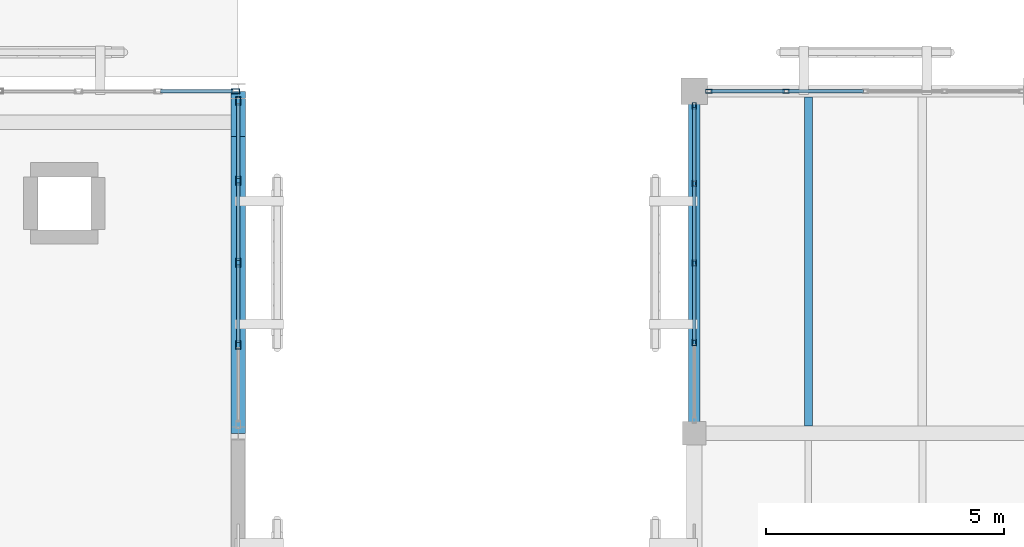
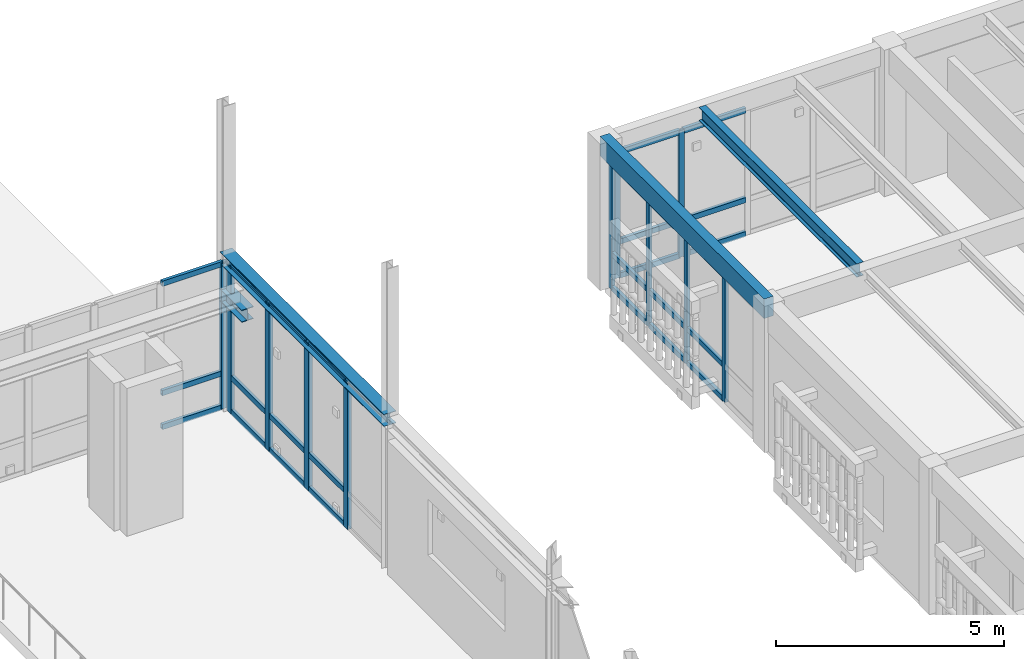
# One storey, part 87 of 170: 38 members, 4 beams, 4 elements without a shape of their own.
"""IFC4 building model written with IfcOpenShell, lengths in metres."""

from ifc_helpers import new_model, si_unit, direction, frame, origin, origin_2d, place, context, subcontext, project, spatial, rectangle, hollow_rectangle, i_section, extrude, material, layer, layer_set, material_profile, profile_set, type_object, element, aggregate, save


model = new_model("IFC4")

# Units and contexts
model_context = context("Model", 3, precision=1e-05, world=origin(), true_north=direction((0.0, 1.0)))
body_context = subcontext(model_context, "Body", "Model", "MODEL_VIEW")
ifc_project = project(units=[si_unit("LENGTHUNIT", "METRE"), si_unit("AREAUNIT", "SQUARE_METRE"), si_unit("VOLUMEUNIT", "CUBIC_METRE"), si_unit("PLANEANGLEUNIT", "RADIAN"), si_unit("MASSUNIT", "GRAM", prefix="KILO")], contexts=[model_context])

# Site, building, storey
site_placement = place(None, origin())
site = spatial("IfcSite", under=ifc_project, at=site_placement, CompositionType="ELEMENT")
building_placement = place(site_placement, origin())
building = spatial("IfcBuilding", under=site, at=building_placement, Name="Mazaris Harbour Polytechnic", CompositionType="ELEMENT")
storey_placement = place(building_placement, frame((0.0, 0.0, 5.39990234375)))
storey = spatial("IfcBuildingStorey", under=building, at=storey_placement, Name="L01", CompositionType="ELEMENT", Elevation=5.39990234375)

# Curtain wall, member
ifc_material_1 = material(Name="Anodised Bronze Aluminium and Low-E Glass", Category="aluminium")
ifc_layer_1 = layer(ifc_material_1, 0.14990234375, Name="Anodised Bronze Aluminium and Low-E Glass")
ifc_layer_set_1 = layer_set([ifc_layer_1], Name="Anodised Bronze Aluminium and Low-E Glass")
curtain_wall_type_1 = type_object("IfcCurtainWallType", Name="Workshop Clerestory Curtain Wall", PredefinedType="NOTDEFINED", material=ifc_layer_set_1)
curtain_wall_1_placement = place(storey_placement, origin())
curtain_wall_1 = element("IfcCurtainWall", 1, at=curtain_wall_1_placement, inside=storey, type_object=curtain_wall_type_1, Name="V1 L01 Curtain Wall 20", PredefinedType="NOTDEFINED")
ifc_material_2 = material(Name="Anodised Bronze Steel S355", Category="steel")
ifc_material_profile_1 = material_profile(ifc_material_2, hollow_rectangle(XDim=0.10009765625, YDim=0.179931640625, WallThickness=0.008056640625, at=origin_2d()), Name="RHS 100x180x8.0")
ifc_profile_set_1 = profile_set([ifc_material_profile_1], Name="Anodised Bronze Steel S355")
member_type_1 = type_object("IfcMemberType", Name="Curtain Mullion RHS100x180", PredefinedType="MULLION", material=ifc_profile_set_1)
member_1_placement = place(storey_placement, frame((112.741943359375, 108.0, 0.0), z_axis=(0.0, 0.0, 1.0), x_axis=(0.0, 1.0, 0.0)))
member_1 = element("IfcMember", 2, at=member_1_placement, type_object=member_type_1, Name="CW-04 mullion 6", PredefinedType="MULLION", context=body_context, shape_type="SweptSolid", body=[
    extrude(hollow_rectangle(XDim=0.10009765625, YDim=0.179931640625, WallThickness=0.008056640625, at=origin_2d()), origin(), (0.0, 0.0, 1.0), 3.920166015625),
])

# Curtain wall, members
curtain_wall_2_placement = place(storey_placement, origin())
curtain_wall_2 = element("IfcCurtainWall", 3, at=curtain_wall_2_placement, inside=storey, type_object=curtain_wall_type_1, Name="V1 L01 Curtain Wall 24", PredefinedType="NOTDEFINED")
member_2_placement = place(storey_placement, frame((112.800048828125, 107.79296875, 0.0), z_axis=(0.0, 0.0, 1.0), x_axis=(1.0, 0.0, 0.0)))
member_2 = element("IfcMember", 4, at=member_2_placement, type_object=member_type_1, Name="CW-04 mullion 1", PredefinedType="MULLION", context=body_context, shape_type="SweptSolid", body=[
    extrude(hollow_rectangle(XDim=0.10009765625, YDim=0.179931640625, WallThickness=0.008056640625, at=origin_2d()), origin(), (0.0, 0.0, 1.0), 3.920166015625),
])
member_3_placement = place(storey_placement, frame((112.800048828125, 106.116455078125, 0.0), z_axis=(0.0, 0.0, 1.0), x_axis=(1.0, 0.0, 0.0)))
member_3 = element("IfcMember", 5, at=member_3_placement, type_object=member_type_1, Name="CW-04 mullion 2", PredefinedType="MULLION", context=body_context, shape_type="SweptSolid", body=[
    extrude(hollow_rectangle(XDim=0.10009765625, YDim=0.179931640625, WallThickness=0.008056640625, at=origin_2d()), origin(), (0.0, 0.0, 1.0), 3.920166015625),
])
member_4_placement = place(storey_placement, frame((112.800048828125, 104.389892578125, 0.0), z_axis=(0.0, 0.0, 1.0), x_axis=(1.0, 0.0, 0.0)))
member_4 = element("IfcMember", 6, at=member_4_placement, type_object=member_type_1, Name="CW-04 mullion 3", PredefinedType="MULLION", context=body_context, shape_type="SweptSolid", body=[
    extrude(hollow_rectangle(XDim=0.10009765625, YDim=0.179931640625, WallThickness=0.008056640625, at=origin_2d()), origin(), (0.0, 0.0, 1.0), 3.920166015625),
])
member_5_placement = place(storey_placement, frame((112.800048828125, 102.66357421875, 0.0), z_axis=(0.0, 0.0, 1.0), x_axis=(1.0, 0.0, 0.0)))
member_5 = element("IfcMember", 7, at=member_5_placement, type_object=member_type_1, Name="CW-04 mullion 4", PredefinedType="MULLION", context=body_context, shape_type="SweptSolid", body=[
    extrude(hollow_rectangle(XDim=0.10009765625, YDim=0.179931640625, WallThickness=0.008056640625, at=origin_2d()), origin(), (0.0, 0.0, 1.0), 3.920166015625),
])

ifc_material_3 = material(Name="Anodised Bronze Aluminium and Low-E Glass", Category="aluminium")
ifc_layer_2 = layer(ifc_material_3, 0.169921875, Name="Anodised Bronze Aluminium and Low-E Glass")
ifc_layer_set_2 = layer_set([ifc_layer_2], Name="Anodised Bronze Aluminium and Low-E Glass")
curtain_wall_type_2 = type_object("IfcCurtainWallType", Name="Studio North-Light Curtain Wall", PredefinedType="NOTDEFINED", material=ifc_layer_set_2)
curtain_wall_3_placement = place(storey_placement, origin())
curtain_wall_3 = element("IfcCurtainWall", 8, at=curtain_wall_3_placement, inside=storey, type_object=curtain_wall_type_2, Name="V5 L01 Curtain Wall 205", PredefinedType="NOTDEFINED")
ifc_material_4 = material(Name="Anodised Bronze Steel S355", Category="steel")
ifc_material_profile_2 = material_profile(ifc_material_4, hollow_rectangle(XDim=0.080078125, YDim=0.139892578125, WallThickness=0.00634765625, at=origin_2d()), Name="RHS 80x140x6.3")
ifc_profile_set_2 = profile_set([ifc_material_profile_2], Name="Anodised Bronze Steel S355")
member_type_2 = type_object("IfcMemberType", Name="Curtain Mullion RHS80x140", PredefinedType="MULLION", material=ifc_profile_set_2)
member_6_placement = place(storey_placement, frame((122.70703125, 108.0, 0.0), z_axis=(0.0, 0.0, 1.0), x_axis=(0.0, 1.0, 0.0)))
member_6 = element("IfcMember", 9, at=member_6_placement, type_object=member_type_2, Name="CW-03 mullion 1", PredefinedType="MULLION", context=body_context, shape_type="SweptSolid", body=[
    extrude(hollow_rectangle(XDim=0.080078125, YDim=0.139892578125, WallThickness=0.00634765625, at=origin_2d()), origin(), (0.0, 0.0, 1.0), 3.39013671875),
])
member_7_placement = place(storey_placement, frame((124.33349609375, 108.0, 0.0), z_axis=(0.0, 0.0, 1.0), x_axis=(0.0, 1.0, 0.0)))
member_7 = element("IfcMember", 10, at=member_7_placement, type_object=member_type_2, Name="CW-03 mullion 2", PredefinedType="MULLION", context=body_context, shape_type="SweptSolid", body=[
    extrude(hollow_rectangle(XDim=0.080078125, YDim=0.139892578125, WallThickness=0.00634765625, at=origin_2d()), origin(), (0.0, 0.0, 1.0), 3.39013671875),
])

curtain_wall_4_placement = place(storey_placement, origin())
curtain_wall_4 = element("IfcCurtainWall", 11, at=curtain_wall_4_placement, inside=storey, type_object=curtain_wall_type_2, Name="V5 L01 Curtain Wall 212", PredefinedType="NOTDEFINED")
member_8_placement = place(storey_placement, frame((122.39990234375, 102.71484375, 0.0), z_axis=(0.0, 0.0, 1.0), x_axis=(-1.0, 0.0, 0.0)))
member_8 = element("IfcMember", 12, at=member_8_placement, type_object=member_type_2, Name="CW-03 mullion 2", PredefinedType="MULLION", context=body_context, shape_type="SweptSolid", body=[
    extrude(hollow_rectangle(XDim=0.080078125, YDim=0.139892578125, WallThickness=0.00634765625, at=origin_2d()), origin(), (0.0, 0.0, 1.0), 3.39013671875),
])
member_9_placement = place(storey_placement, frame((122.39990234375, 104.387451171875, 0.0), z_axis=(0.0, 0.0, 1.0), x_axis=(-1.0, 0.0, 0.0)))
member_9 = element("IfcMember", 13, at=member_9_placement, type_object=member_type_2, Name="CW-03 mullion 3", PredefinedType="MULLION", context=body_context, shape_type="SweptSolid", body=[
    extrude(hollow_rectangle(XDim=0.080078125, YDim=0.139892578125, WallThickness=0.00634765625, at=origin_2d()), origin(), (0.0, 0.0, 1.0), 3.39013671875),
])
member_10_placement = place(storey_placement, frame((122.39990234375, 106.060302734375, 0.0), z_axis=(0.0, 0.0, 1.0), x_axis=(-1.0, 0.0, 0.0)))
member_10 = element("IfcMember", 14, at=member_10_placement, type_object=member_type_2, Name="CW-03 mullion 4", PredefinedType="MULLION", context=body_context, shape_type="SweptSolid", body=[
    extrude(hollow_rectangle(XDim=0.080078125, YDim=0.139892578125, WallThickness=0.00634765625, at=origin_2d()), origin(), (0.0, 0.0, 1.0), 3.39013671875),
])
member_11_placement = place(storey_placement, frame((122.39990234375, 107.693115234375, 0.0), z_axis=(0.0, 0.0, 1.0), x_axis=(-1.0, 0.0, 0.0)))
member_11 = element("IfcMember", 15, at=member_11_placement, type_object=member_type_2, Name="CW-03 mullion 5", PredefinedType="MULLION", context=body_context, shape_type="SweptSolid", body=[
    extrude(hollow_rectangle(XDim=0.080078125, YDim=0.139892578125, WallThickness=0.00634765625, at=origin_2d()), origin(), (0.0, 0.0, 1.0), 3.39013671875),
])

# Member
ifc_material_5 = material(Name="Anodised Bronze Steel S355", Category="steel")
ifc_material_profile_3 = material_profile(ifc_material_5, hollow_rectangle(XDim=0.080078125, YDim=0.139892578125, WallThickness=0.00634765625, at=origin_2d()), Name="RHS 80x140x6.3")
ifc_profile_set_3 = profile_set([ifc_material_profile_3], Name="Anodised Bronze Steel S355")
member_type_3 = type_object("IfcMemberType", Name="Curtain Transom RHS80x140", PredefinedType="USERDEFINED", material=ifc_profile_set_3)
member_12_placement = place(storey_placement, frame((111.165283203125, 108.0, 0.0400390625), z_axis=(1.0, 0.0, 0.0), x_axis=(0.0, 1.0, 0.0)))
member_12 = element("IfcMember", 16, at=member_12_placement, type_object=member_type_3, Name="CW-04 transom 5.1", ObjectType="TRANSOM", PredefinedType="USERDEFINED", context=body_context, shape_type="SweptSolid", body=[
    extrude(hollow_rectangle(XDim=0.080078125, YDim=0.139892578125, WallThickness=0.00634765625, at=origin_2d()), origin(), (0.0, 0.0, 1.0), 1.526611328125),
])

member_13_placement = place(storey_placement, frame((111.165283203125, 108.0, 0.9501953125), z_axis=(1.0, 0.0, 0.0), x_axis=(0.0, 1.0, 0.0)))
member_13 = element("IfcMember", 17, at=member_13_placement, type_object=member_type_3, Name="CW-04 transom 5.2", ObjectType="TRANSOM", PredefinedType="USERDEFINED", context=body_context, shape_type="SweptSolid", body=[
    extrude(hollow_rectangle(XDim=0.080078125, YDim=0.139892578125, WallThickness=0.00634765625, at=origin_2d()), origin(), (0.0, 0.0, 1.0), 1.526611328125),
])

member_14_placement = place(storey_placement, frame((111.165283203125, 108.0, 3.880126953125), z_axis=(1.0, 0.0, 0.0), x_axis=(0.0, 1.0, 0.0)))
member_14 = element("IfcMember", 18, at=member_14_placement, type_object=member_type_3, Name="CW-04 transom 5.3", ObjectType="TRANSOM", PredefinedType="USERDEFINED", context=body_context, shape_type="SweptSolid", body=[
    extrude(hollow_rectangle(XDim=0.080078125, YDim=0.139892578125, WallThickness=0.00634765625, at=origin_2d()), origin(), (0.0, 0.0, 1.0), 1.526611328125),
])

aggregate(curtain_wall_1, [member_1, member_12, member_13, member_14])

member_15_placement = place(storey_placement, frame((112.800048828125, 107.742919921875, 0.0400390625), z_axis=(0.0, -1.0, 0.0), x_axis=(1.0, 0.0, 0.0)))
member_15 = element("IfcMember", 19, at=member_15_placement, type_object=member_type_3, Name="CW-04 transom 1.1", ObjectType="TRANSOM", PredefinedType="USERDEFINED", context=body_context, shape_type="SweptSolid", body=[
    extrude(hollow_rectangle(XDim=0.080078125, YDim=0.139892578125, WallThickness=0.00634765625, at=origin_2d()), origin(), (0.0, 0.0, 1.0), 1.576416015625),
])

member_16_placement = place(storey_placement, frame((112.800048828125, 107.742919921875, 0.9501953125), z_axis=(0.0, -1.0, 0.0), x_axis=(1.0, 0.0, 0.0)))
member_16 = element("IfcMember", 20, at=member_16_placement, type_object=member_type_3, Name="CW-04 transom 1.2", ObjectType="TRANSOM", PredefinedType="USERDEFINED", context=body_context, shape_type="SweptSolid", body=[
    extrude(hollow_rectangle(XDim=0.080078125, YDim=0.139892578125, WallThickness=0.00634765625, at=origin_2d()), origin(), (0.0, 0.0, 1.0), 1.576416015625),
])

member_17_placement = place(storey_placement, frame((112.800048828125, 107.742919921875, 3.880126953125), z_axis=(0.0, -1.0, 0.0), x_axis=(1.0, 0.0, 0.0)))
member_17 = element("IfcMember", 21, at=member_17_placement, type_object=member_type_3, Name="CW-04 transom 1.3", ObjectType="TRANSOM", PredefinedType="USERDEFINED", context=body_context, shape_type="SweptSolid", body=[
    extrude(hollow_rectangle(XDim=0.080078125, YDim=0.139892578125, WallThickness=0.00634765625, at=origin_2d()), origin(), (0.0, 0.0, 1.0), 1.576416015625),
])

member_18_placement = place(storey_placement, frame((112.800048828125, 106.06640625, 0.0400390625), z_axis=(0.0, -1.0, 0.0), x_axis=(1.0, 0.0, 0.0)))
member_18 = element("IfcMember", 22, at=member_18_placement, type_object=member_type_3, Name="CW-04 transom 2.1", ObjectType="TRANSOM", PredefinedType="USERDEFINED", context=body_context, shape_type="SweptSolid", body=[
    extrude(hollow_rectangle(XDim=0.080078125, YDim=0.139892578125, WallThickness=0.00634765625, at=origin_2d()), origin(), (0.0, 0.0, 1.0), 1.62646484375),
])

member_19_placement = place(storey_placement, frame((112.800048828125, 106.06640625, 0.9501953125), z_axis=(0.0, -1.0, 0.0), x_axis=(1.0, 0.0, 0.0)))
member_19 = element("IfcMember", 23, at=member_19_placement, type_object=member_type_3, Name="CW-04 transom 2.2", ObjectType="TRANSOM", PredefinedType="USERDEFINED", context=body_context, shape_type="SweptSolid", body=[
    extrude(hollow_rectangle(XDim=0.080078125, YDim=0.139892578125, WallThickness=0.00634765625, at=origin_2d()), origin(), (0.0, 0.0, 1.0), 1.62646484375),
])

member_20_placement = place(storey_placement, frame((112.800048828125, 106.06640625, 3.880126953125), z_axis=(0.0, -1.0, 0.0), x_axis=(1.0, 0.0, 0.0)))
member_20 = element("IfcMember", 24, at=member_20_placement, type_object=member_type_3, Name="CW-04 transom 2.3", ObjectType="TRANSOM", PredefinedType="USERDEFINED", context=body_context, shape_type="SweptSolid", body=[
    extrude(hollow_rectangle(XDim=0.080078125, YDim=0.139892578125, WallThickness=0.00634765625, at=origin_2d()), origin(), (0.0, 0.0, 1.0), 1.62646484375),
])

member_21_placement = place(storey_placement, frame((112.800048828125, 104.340087890625, 0.0400390625), z_axis=(0.0, -1.0, 0.0), x_axis=(1.0, 0.0, 0.0)))
member_21 = element("IfcMember", 25, at=member_21_placement, type_object=member_type_3, Name="CW-04 transom 3.1", ObjectType="TRANSOM", PredefinedType="USERDEFINED", context=body_context, shape_type="SweptSolid", body=[
    extrude(hollow_rectangle(XDim=0.080078125, YDim=0.139892578125, WallThickness=0.00634765625, at=origin_2d()), origin(), (0.0, 0.0, 1.0), 1.626708984375),
])

member_22_placement = place(storey_placement, frame((112.800048828125, 104.340087890625, 0.9501953125), z_axis=(0.0, -1.0, 0.0), x_axis=(1.0, 0.0, 0.0)))
member_22 = element("IfcMember", 26, at=member_22_placement, type_object=member_type_3, Name="CW-04 transom 3.2", ObjectType="TRANSOM", PredefinedType="USERDEFINED", context=body_context, shape_type="SweptSolid", body=[
    extrude(hollow_rectangle(XDim=0.080078125, YDim=0.139892578125, WallThickness=0.00634765625, at=origin_2d()), origin(), (0.0, 0.0, 1.0), 1.626708984375),
])

member_23_placement = place(storey_placement, frame((112.800048828125, 104.340087890625, 3.880126953125), z_axis=(0.0, -1.0, 0.0), x_axis=(1.0, 0.0, 0.0)))
member_23 = element("IfcMember", 27, at=member_23_placement, type_object=member_type_3, Name="CW-04 transom 3.3", ObjectType="TRANSOM", PredefinedType="USERDEFINED", context=body_context, shape_type="SweptSolid", body=[
    extrude(hollow_rectangle(XDim=0.080078125, YDim=0.139892578125, WallThickness=0.00634765625, at=origin_2d()), origin(), (0.0, 0.0, 1.0), 1.626708984375),
])

aggregate(curtain_wall_2, [member_2, member_3, member_4, member_5, member_15, member_16, member_17, member_18, member_19, member_20, member_21, member_22, member_23])

member_24_placement = place(storey_placement, frame((122.7470703125, 108.0, 0.0400390625), z_axis=(1.0, 0.0, 0.0), x_axis=(0.0, 1.0, 0.0)))
member_24 = element("IfcMember", 28, at=member_24_placement, type_object=member_type_3, Name="CW-03 transom 1.1", ObjectType="TRANSOM", PredefinedType="USERDEFINED", context=body_context, shape_type="SweptSolid", body=[
    extrude(hollow_rectangle(XDim=0.080078125, YDim=0.139892578125, WallThickness=0.00634765625, at=origin_2d()), origin(), (0.0, 0.0, 1.0), 1.54638671875),
])

member_25_placement = place(storey_placement, frame((122.7470703125, 108.0, 0.9501953125), z_axis=(1.0, 0.0, 0.0), x_axis=(0.0, 1.0, 0.0)))
member_25 = element("IfcMember", 29, at=member_25_placement, type_object=member_type_3, Name="CW-03 transom 1.2", ObjectType="TRANSOM", PredefinedType="USERDEFINED", context=body_context, shape_type="SweptSolid", body=[
    extrude(hollow_rectangle(XDim=0.080078125, YDim=0.139892578125, WallThickness=0.00634765625, at=origin_2d()), origin(), (0.0, 0.0, 1.0), 1.54638671875),
])

member_26_placement = place(storey_placement, frame((122.7470703125, 108.0, 3.35009765625), z_axis=(1.0, 0.0, 0.0), x_axis=(0.0, 1.0, 0.0)))
member_26 = element("IfcMember", 30, at=member_26_placement, type_object=member_type_3, Name="CW-03 transom 1.3", ObjectType="TRANSOM", PredefinedType="USERDEFINED", context=body_context, shape_type="SweptSolid", body=[
    extrude(hollow_rectangle(XDim=0.080078125, YDim=0.139892578125, WallThickness=0.00634765625, at=origin_2d()), origin(), (0.0, 0.0, 1.0), 1.54638671875),
])

member_27_placement = place(storey_placement, frame((124.37353515625, 108.0, 0.0400390625), z_axis=(1.0, 0.0, 0.0), x_axis=(0.0, 1.0, 0.0)))
member_27 = element("IfcMember", 31, at=member_27_placement, type_object=member_type_3, Name="CW-03 transom 2.1", ObjectType="TRANSOM", PredefinedType="USERDEFINED", context=body_context, shape_type="SweptSolid", body=[
    extrude(hollow_rectangle(XDim=0.080078125, YDim=0.139892578125, WallThickness=0.00634765625, at=origin_2d()), origin(), (0.0, 0.0, 1.0), 1.58642578125),
])

member_28_placement = place(storey_placement, frame((124.37353515625, 108.0, 0.9501953125), z_axis=(1.0, 0.0, 0.0), x_axis=(0.0, 1.0, 0.0)))
member_28 = element("IfcMember", 32, at=member_28_placement, type_object=member_type_3, Name="CW-03 transom 2.2", ObjectType="TRANSOM", PredefinedType="USERDEFINED", context=body_context, shape_type="SweptSolid", body=[
    extrude(hollow_rectangle(XDim=0.080078125, YDim=0.139892578125, WallThickness=0.00634765625, at=origin_2d()), origin(), (0.0, 0.0, 1.0), 1.58642578125),
])

member_29_placement = place(storey_placement, frame((124.37353515625, 108.0, 3.35009765625), z_axis=(1.0, 0.0, 0.0), x_axis=(0.0, 1.0, 0.0)))
member_29 = element("IfcMember", 33, at=member_29_placement, type_object=member_type_3, Name="CW-03 transom 2.3", ObjectType="TRANSOM", PredefinedType="USERDEFINED", context=body_context, shape_type="SweptSolid", body=[
    extrude(hollow_rectangle(XDim=0.080078125, YDim=0.139892578125, WallThickness=0.00634765625, at=origin_2d()), origin(), (0.0, 0.0, 1.0), 1.58642578125),
])

aggregate(curtain_wall_3, [member_6, member_7, member_24, member_25, member_26, member_27, member_28, member_29])

member_30_placement = place(storey_placement, frame((122.39990234375, 102.754638671875, 0.0400390625), z_axis=(0.0, 1.0, 0.0), x_axis=(-1.0, 0.0, 0.0)))
member_30 = element("IfcMember", 34, at=member_30_placement, type_object=member_type_3, Name="CW-03 transom 2.1", ObjectType="TRANSOM", PredefinedType="USERDEFINED", context=body_context, shape_type="SweptSolid", body=[
    extrude(hollow_rectangle(XDim=0.080078125, YDim=0.139892578125, WallThickness=0.00634765625, at=origin_2d()), origin(), (0.0, 0.0, 1.0), 1.5927734375),
])

member_31_placement = place(storey_placement, frame((122.39990234375, 102.754638671875, 0.9501953125), z_axis=(0.0, 1.0, 0.0), x_axis=(-1.0, 0.0, 0.0)))
member_31 = element("IfcMember", 35, at=member_31_placement, type_object=member_type_3, Name="CW-03 transom 2.2", ObjectType="TRANSOM", PredefinedType="USERDEFINED", context=body_context, shape_type="SweptSolid", body=[
    extrude(hollow_rectangle(XDim=0.080078125, YDim=0.139892578125, WallThickness=0.00634765625, at=origin_2d()), origin(), (0.0, 0.0, 1.0), 1.5927734375),
])

member_32_placement = place(storey_placement, frame((122.39990234375, 102.754638671875, 3.35009765625), z_axis=(0.0, 1.0, 0.0), x_axis=(-1.0, 0.0, 0.0)))
member_32 = element("IfcMember", 36, at=member_32_placement, type_object=member_type_3, Name="CW-03 transom 2.3", ObjectType="TRANSOM", PredefinedType="USERDEFINED", context=body_context, shape_type="SweptSolid", body=[
    extrude(hollow_rectangle(XDim=0.080078125, YDim=0.139892578125, WallThickness=0.00634765625, at=origin_2d()), origin(), (0.0, 0.0, 1.0), 1.5927734375),
])

member_33_placement = place(storey_placement, frame((122.39990234375, 104.427490234375, 0.0400390625), z_axis=(0.0, 1.0, 0.0), x_axis=(-1.0, 0.0, 0.0)))
member_33 = element("IfcMember", 37, at=member_33_placement, type_object=member_type_3, Name="CW-03 transom 3.1", ObjectType="TRANSOM", PredefinedType="USERDEFINED", context=body_context, shape_type="SweptSolid", body=[
    extrude(hollow_rectangle(XDim=0.080078125, YDim=0.139892578125, WallThickness=0.00634765625, at=origin_2d()), origin(), (0.0, 0.0, 1.0), 1.5927734375),
])

member_34_placement = place(storey_placement, frame((122.39990234375, 104.427490234375, 0.9501953125), z_axis=(0.0, 1.0, 0.0), x_axis=(-1.0, 0.0, 0.0)))
member_34 = element("IfcMember", 38, at=member_34_placement, type_object=member_type_3, Name="CW-03 transom 3.2", ObjectType="TRANSOM", PredefinedType="USERDEFINED", context=body_context, shape_type="SweptSolid", body=[
    extrude(hollow_rectangle(XDim=0.080078125, YDim=0.139892578125, WallThickness=0.00634765625, at=origin_2d()), origin(), (0.0, 0.0, 1.0), 1.5927734375),
])

member_35_placement = place(storey_placement, frame((122.39990234375, 104.427490234375, 3.35009765625), z_axis=(0.0, 1.0, 0.0), x_axis=(-1.0, 0.0, 0.0)))
member_35 = element("IfcMember", 39, at=member_35_placement, type_object=member_type_3, Name="CW-03 transom 3.3", ObjectType="TRANSOM", PredefinedType="USERDEFINED", context=body_context, shape_type="SweptSolid", body=[
    extrude(hollow_rectangle(XDim=0.080078125, YDim=0.139892578125, WallThickness=0.00634765625, at=origin_2d()), origin(), (0.0, 0.0, 1.0), 1.5927734375),
])

member_36_placement = place(storey_placement, frame((122.39990234375, 106.100341796875, 0.0400390625), z_axis=(0.0, 1.0, 0.0), x_axis=(-1.0, 0.0, 0.0)))
member_36 = element("IfcMember", 40, at=member_36_placement, type_object=member_type_3, Name="CW-03 transom 4.1", ObjectType="TRANSOM", PredefinedType="USERDEFINED", context=body_context, shape_type="SweptSolid", body=[
    extrude(hollow_rectangle(XDim=0.080078125, YDim=0.139892578125, WallThickness=0.00634765625, at=origin_2d()), origin(), (0.0, 0.0, 1.0), 1.552734375),
])

member_37_placement = place(storey_placement, frame((122.39990234375, 106.100341796875, 0.9501953125), z_axis=(0.0, 1.0, 0.0), x_axis=(-1.0, 0.0, 0.0)))
member_37 = element("IfcMember", 41, at=member_37_placement, type_object=member_type_3, Name="CW-03 transom 4.2", ObjectType="TRANSOM", PredefinedType="USERDEFINED", context=body_context, shape_type="SweptSolid", body=[
    extrude(hollow_rectangle(XDim=0.080078125, YDim=0.139892578125, WallThickness=0.00634765625, at=origin_2d()), origin(), (0.0, 0.0, 1.0), 1.552734375),
])

member_38_placement = place(storey_placement, frame((122.39990234375, 106.100341796875, 3.35009765625), z_axis=(0.0, 1.0, 0.0), x_axis=(-1.0, 0.0, 0.0)))
member_38 = element("IfcMember", 42, at=member_38_placement, type_object=member_type_3, Name="CW-03 transom 4.3", ObjectType="TRANSOM", PredefinedType="USERDEFINED", context=body_context, shape_type="SweptSolid", body=[
    extrude(hollow_rectangle(XDim=0.080078125, YDim=0.139892578125, WallThickness=0.00634765625, at=origin_2d()), origin(), (0.0, 0.0, 1.0), 1.552734375),
])

aggregate(curtain_wall_4, [member_8, member_9, member_10, member_11, member_30, member_31, member_32, member_33, member_34, member_35, member_36, member_37, member_38])

# Beams
ifc_material_6 = material(Name="Glulam GL32h", Category="wood")
ifc_material_profile_4 = material_profile(ifc_material_6, rectangle(XDim=0.239990234375, YDim=0.52001953125, at=origin_2d()), Name="RECT240x520")
ifc_profile_set_4 = profile_set([ifc_material_profile_4], Name="Glulam GL32h")
beam_type_1 = type_object("IfcBeamType", Name="Glulam Girder 240x520 Exterior", PredefinedType="BEAM", material=ifc_profile_set_4)
beam_1_placement = place(storey_placement, frame((122.39990234375, 100.800048828125, 3.66015625), z_axis=(0.0, 1.0, 0.0), x_axis=(-1.0, 0.0, 0.0)))
element("IfcBeam", 43, at=beam_1_placement, inside=storey, type_object=beam_type_1, Name="V5 L01 Tie Girder 2975", PredefinedType="BEAM", context=body_context, shape_type="SweptSolid", body=[
    extrude(rectangle(XDim=0.239990234375, YDim=0.52001953125, at=origin_2d()), origin(), (0.0, 0.0, 1.0), 7.199951171875),
])
ifc_material_7 = material(Name="Steel S355", Category="steel")
ifc_material_profile_5 = material_profile(ifc_material_7, i_section(OverallWidth=0.300048828125, OverallDepth=0.330078125, WebThickness=0.009521484375, FlangeThickness=0.0166015625, FilletRadius=0.027099609375, at=origin_2d()), Name="HEA 340")
ifc_profile_set_5 = profile_set([ifc_material_profile_5], Name="Steel S355")
beam_type_2 = type_object("IfcBeamType", Name="Steel Beam HEA340", PredefinedType="BEAM", material=ifc_profile_set_5)
beam_2_placement = place(storey_placement, frame((112.800048828125, 108.0, 3.0400390625), z_axis=(0.0, -1.0, 0.0), x_axis=(1.0, 0.0, 0.0)))
element("IfcBeam", 44, at=beam_2_placement, inside=storey, type_object=beam_type_2, Name="V1 Crane Corbel Bracket 3570", PredefinedType="BEAM", context=body_context, shape_type="SweptSolid", body=[
    extrude(i_section(OverallWidth=0.300048828125, OverallDepth=0.330078125, WebThickness=0.009521484375, FlangeThickness=0.0166015625, FilletRadius=0.027099609375, at=origin_2d()), origin(), (0.0, 0.0, 1.0), 0.949951171875),
])
ifc_material_8 = material(Name="Steel S355", Category="steel")
ifc_material_profile_6 = material_profile(ifc_material_8, i_section(OverallWidth=0.300048828125, OverallDepth=0.330078125, WebThickness=0.009521484375, FlangeThickness=0.0166015625, FilletRadius=0.027099609375, at=origin_2d()), Name="HEA 340")
ifc_profile_set_6 = profile_set([ifc_material_profile_6], Name="Steel S355")
beam_type_3 = type_object("IfcBeamType", Name="Steel Beam HEA340 Exterior", PredefinedType="BEAM", material=ifc_profile_set_6)
beam_3_placement = place(storey_placement, frame((112.800048828125, 100.800048828125, 4.03515625), z_axis=(0.0, 1.0, 0.0), x_axis=(-1.0, 0.0, 0.0)))
element("IfcBeam", 45, at=beam_3_placement, inside=storey, type_object=beam_type_3, Name="V1 L01 Tie Girder 271", PredefinedType="BEAM", context=body_context, shape_type="SweptSolid", body=[
    extrude(i_section(OverallWidth=0.300048828125, OverallDepth=0.330078125, WebThickness=0.009521484375, FlangeThickness=0.0166015625, FilletRadius=0.027099609375, at=origin_2d()), origin(), (0.0, 0.0, 1.0), 7.199951171875),
])
ifc_material_9 = material(Name="Steel S355", Category="steel")
ifc_material_profile_7 = material_profile(ifc_material_9, i_section(OverallWidth=0.169921875, OverallDepth=0.360107421875, WebThickness=0.008056640625, FlangeThickness=0.0126953125, FilletRadius=0.01806640625, at=origin_2d()), Name="IPE 360")
ifc_profile_set_7 = profile_set([ifc_material_profile_7], Name="Steel S355")
beam_type_4 = type_object("IfcBeamType", Name="Steel Joist IPE360", PredefinedType="JOIST", material=ifc_profile_set_7)
beam_4_placement = place(storey_placement, frame((124.800048828125, 100.949951171875, 3.739990234375), z_axis=(0.0, 1.0, 0.0), x_axis=(-1.0, 0.0, 0.0)))
element("IfcBeam", 46, at=beam_4_placement, inside=storey, type_object=beam_type_4, Name="V5 L01 Floor Joist 3042", PredefinedType="JOIST", context=body_context, shape_type="SweptSolid", body=[
    extrude(i_section(OverallWidth=0.169921875, OverallDepth=0.360107421875, WebThickness=0.008056640625, FlangeThickness=0.0126953125, FilletRadius=0.01806640625, at=origin_2d()), origin(), (0.0, 0.0, 1.0), 6.929931640625),
])

save(model, "model.ifc")
